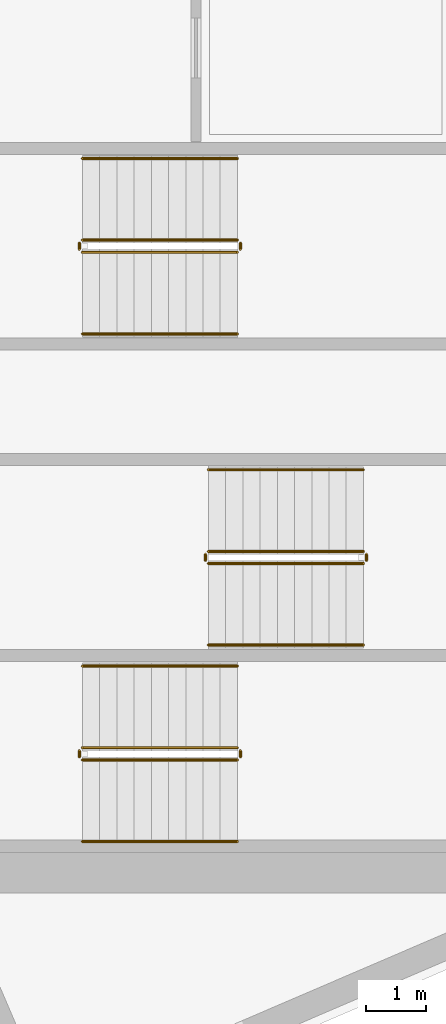
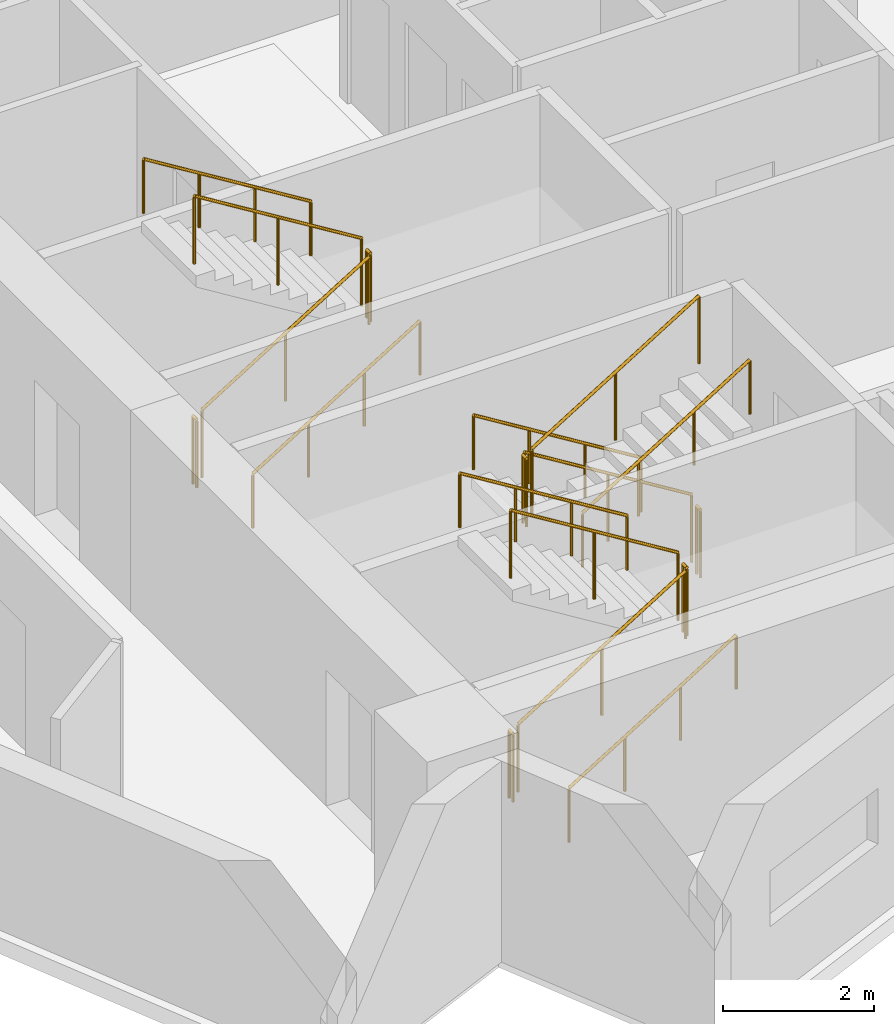
# One storey, part 13 of 14: 18 railings.
"""IFC4 building model written with IfcOpenShell, lengths in metres."""

from ifc_helpers import new_model, si_unit, direction, frame, origin, origin_2d, place, context, subcontext, project, spatial, circle, extrude, material, type_object, element, save


model = new_model("IFC4")

# Units and contexts
model_context = context("Model", 3, precision=1e-05, world=origin(), true_north=direction((0.0, 1.0)))
body_context = subcontext(model_context, "Body", "Model", "MODEL_VIEW")
ifc_project = project(units=[si_unit("LENGTHUNIT", "METRE"), si_unit("AREAUNIT", "SQUARE_METRE"), si_unit("VOLUMEUNIT", "CUBIC_METRE"), si_unit("PLANEANGLEUNIT", "RADIAN"), si_unit("MASSUNIT", "GRAM", prefix="KILO")], contexts=[model_context])

# Site, building, storey
site_placement = place(None, origin())
site = spatial("IfcSite", under=ifc_project, at=site_placement, CompositionType="ELEMENT")
building_placement = place(site_placement, origin())
building = spatial("IfcBuilding", under=site, at=building_placement, Name="Narakoshi Arena Tower", CompositionType="ELEMENT")
storey_placement = place(building_placement, frame((0.0, 0.0, 189.659912109375)))
storey = spatial("IfcBuildingStorey", under=building, at=storey_placement, Name="L51", CompositionType="ELEMENT", Elevation=189.659912109375)

# Railings
ifc_material_1 = material(Name="Clear low-iron laminated structural glass", Category="glass")
railing_type_1 = type_object("IfcRailingType", Name="RL-BAL-1100", PredefinedType="BALUSTRADE", material=ifc_material_1)
railing_1_placement = place(storey_placement, frame((74.39990234375, 36.949951171875, 0.176025390625)))
element("IfcRailing", 1, at=railing_1_placement, inside=storey, type_object=railing_type_1, Name="L51 ST1 stair guard 1", PredefinedType="BALUSTRADE", context=body_context, shape_type="SweptSolid", body=[
    extrude(circle(Radius=0.02392578125, at=origin_2d()), frame((0.0, 0.0, 1.09619140625), z_axis=(0.850856559306, 0.0, 0.525398054323), x_axis=(0.0, 1.0, 0.0)), (0.0, 0.0, 1.0), 3.014892578125),
    extrude(circle(Radius=0.02099609375, at=origin_2d()), origin(), (0.0, 0.0, 1.0), 1.072021484375),
    extrude(circle(Radius=0.02099609375, at=origin_2d()), frame((1.28271484375, 0.0, 0.7919921875)), (0.0, 0.0, 1.0), 1.072021484375),
    extrude(circle(Radius=0.02099609375, at=origin_2d()), frame((2.565185546875, 0.0, 1.583984375)), (0.0, 0.0, 1.0), 1.072021484375),
])
railing_2_placement = place(storey_placement, frame((77.014892578125, 37.0, 1.760009765625)))
element("IfcRailing", 2, at=railing_2_placement, inside=storey, type_object=railing_type_1, Name="L51 ST1 stair guard 2", PredefinedType="BALUSTRADE", context=body_context, shape_type="SweptSolid", body=[
    extrude(circle(Radius=0.02392578125, at=origin_2d()), frame((0.0, 0.0, 1.09619140625), z_axis=(0.0, 1.0, 0.0), x_axis=(-1.0, 0.0, 0.0)), (0.0, 0.0, 1.0), 0.10009765625),
    extrude(circle(Radius=0.02099609375, at=origin_2d()), origin(), (0.0, 0.0, 1.0), 1.072021484375),
    extrude(circle(Radius=0.02099609375, at=origin_2d()), frame((0.0, 0.10009765625, 0.0)), (0.0, 0.0, 1.0), 1.072021484375),
])
railing_3_placement = place(storey_placement, frame((76.965087890625, 37.14990234375, 1.93603515625)))
element("IfcRailing", 3, at=railing_3_placement, inside=storey, type_object=railing_type_1, Name="L51 ST1 stair guard 3", PredefinedType="BALUSTRADE", context=body_context, shape_type="SweptSolid", body=[
    extrude(circle(Radius=0.02392578125, at=origin_2d()), frame((0.0, 0.0, 1.09619140625), z_axis=(-0.850856559306, 0.0, 0.525398054323), x_axis=(0.0, -1.0, 0.0)), (0.0, 0.0, 1.0), 3.014892578125),
    extrude(circle(Radius=0.02099609375, at=origin_2d()), origin(), (0.0, 0.0, 1.0), 1.072021484375),
    extrude(circle(Radius=0.02099609375, at=origin_2d()), frame((-1.28271484375, 0.0, 0.7919921875)), (0.0, 0.0, 1.0), 1.072021484375),
    extrude(circle(Radius=0.02099609375, at=origin_2d()), frame((-2.565185546875, 0.0, 1.583984375)), (0.0, 0.0, 1.0), 1.072021484375),
])
railing_4_placement = place(storey_placement, frame((74.35009765625, 37.0, 0.0)))
element("IfcRailing", 4, at=railing_4_placement, inside=storey, type_object=railing_type_1, Name="L51 ST1 stair guard 4", PredefinedType="BALUSTRADE", context=body_context, shape_type="SweptSolid", body=[
    extrude(circle(Radius=0.02392578125, at=origin_2d()), frame((0.0, 0.0, 1.09619140625), z_axis=(0.0, 1.0, 0.0), x_axis=(-1.0, 0.0, 0.0)), (0.0, 0.0, 1.0), 0.10009765625),
    extrude(circle(Radius=0.02099609375, at=origin_2d()), origin(), (0.0, 0.0, 1.0), 1.072021484375),
    extrude(circle(Radius=0.02099609375, at=origin_2d()), frame((0.0, 0.10009765625, 0.0)), (0.0, 0.0, 1.0), 1.072021484375),
])
railing_5_placement = place(storey_placement, frame((79.050048828125, 40.39990234375, 0.176025390625)))
element("IfcRailing", 5, at=railing_5_placement, inside=storey, type_object=railing_type_1, Name="L51 ST2 stair guard 1", PredefinedType="BALUSTRADE", context=body_context, shape_type="SweptSolid", body=[
    extrude(circle(Radius=0.02392578125, at=origin_2d()), frame((0.0, 0.0, 1.09619140625), z_axis=(-0.850834203031, 0.0, 0.525434257497), x_axis=(0.0, -1.0, 0.0)), (0.0, 0.0, 1.0), 3.0146484375),
    extrude(circle(Radius=0.02099609375, at=origin_2d()), origin(), (0.0, 0.0, 1.0), 1.072021484375),
    extrude(circle(Radius=0.02099609375, at=origin_2d()), frame((-1.282470703125, 0.0, 0.7919921875)), (0.0, 0.0, 1.0), 1.072021484375),
    extrude(circle(Radius=0.02099609375, at=origin_2d()), frame((-2.56494140625, 0.0, 1.583984375)), (0.0, 0.0, 1.0), 1.072021484375),
])
railing_6_placement = place(storey_placement, frame((76.43505859375, 40.35009765625, 1.760009765625)))
element("IfcRailing", 6, at=railing_6_placement, inside=storey, type_object=railing_type_1, Name="L51 ST2 stair guard 2", PredefinedType="BALUSTRADE", context=body_context, shape_type="SweptSolid", body=[
    extrude(circle(Radius=0.02392578125, at=origin_2d()), frame((0.0, 0.0, 1.09619140625), z_axis=(0.0, -1.0, 0.0), x_axis=(1.0, 0.0, 0.0)), (0.0, 0.0, 1.0), 0.10009765625),
    extrude(circle(Radius=0.02099609375, at=origin_2d()), origin(), (0.0, 0.0, 1.0), 1.072021484375),
    extrude(circle(Radius=0.02099609375, at=origin_2d()), frame((0.0, -0.10009765625, 0.0)), (0.0, 0.0, 1.0), 1.072021484375),
])
railing_7_placement = place(storey_placement, frame((76.485107421875, 40.199951171875, 1.93603515625)))
element("IfcRailing", 7, at=railing_7_placement, inside=storey, type_object=railing_type_1, Name="L51 ST2 stair guard 3", PredefinedType="BALUSTRADE", context=body_context, shape_type="SweptSolid", body=[
    extrude(circle(Radius=0.02392578125, at=origin_2d()), frame((0.0, 0.0, 1.09619140625), z_axis=(0.850834203031, 0.0, 0.525434257497), x_axis=(0.0, 1.0, 0.0)), (0.0, 0.0, 1.0), 3.0146484375),
    extrude(circle(Radius=0.02099609375, at=origin_2d()), origin(), (0.0, 0.0, 1.0), 1.072021484375),
    extrude(circle(Radius=0.02099609375, at=origin_2d()), frame((1.282470703125, 0.0, 0.7919921875)), (0.0, 0.0, 1.0), 1.072021484375),
    extrude(circle(Radius=0.02099609375, at=origin_2d()), frame((2.56494140625, 0.0, 1.583984375)), (0.0, 0.0, 1.0), 1.072021484375),
])
railing_8_placement = place(storey_placement, frame((79.10009765625, 40.35009765625, 0.0)))
element("IfcRailing", 8, at=railing_8_placement, inside=storey, type_object=railing_type_1, Name="L51 ST2 stair guard 4", PredefinedType="BALUSTRADE", context=body_context, shape_type="SweptSolid", body=[
    extrude(circle(Radius=0.02392578125, at=origin_2d()), frame((0.0, 0.0, 1.09619140625), z_axis=(0.0, -1.0, 0.0), x_axis=(1.0, 0.0, 0.0)), (0.0, 0.0, 1.0), 0.10009765625),
    extrude(circle(Radius=0.02099609375, at=origin_2d()), origin(), (0.0, 0.0, 1.0), 1.072021484375),
    extrude(circle(Radius=0.02099609375, at=origin_2d()), frame((0.0, -0.10009765625, 0.0)), (0.0, 0.0, 1.0), 1.072021484375),
])
railing_9_placement = place(storey_placement, frame((74.39990234375, 45.35009765625, 0.176025390625)))
element("IfcRailing", 9, at=railing_9_placement, inside=storey, type_object=railing_type_1, Name="L51 ST3 stair guard 1", PredefinedType="BALUSTRADE", context=body_context, shape_type="SweptSolid", body=[
    extrude(circle(Radius=0.02392578125, at=origin_2d()), frame((0.0, 0.0, 1.09619140625), z_axis=(0.850856559306, 0.0, 0.525398054323), x_axis=(0.0, 1.0, 0.0)), (0.0, 0.0, 1.0), 3.014892578125),
    extrude(circle(Radius=0.02099609375, at=origin_2d()), origin(), (0.0, 0.0, 1.0), 1.072021484375),
    extrude(circle(Radius=0.02099609375, at=origin_2d()), frame((1.28271484375, 0.0, 0.7919921875)), (0.0, 0.0, 1.0), 1.072021484375),
    extrude(circle(Radius=0.02099609375, at=origin_2d()), frame((2.565185546875, 0.0, 1.583984375)), (0.0, 0.0, 1.0), 1.072021484375),
])
railing_10_placement = place(storey_placement, frame((77.014892578125, 45.39990234375, 1.760009765625)))
element("IfcRailing", 10, at=railing_10_placement, inside=storey, type_object=railing_type_1, Name="L51 ST3 stair guard 2", PredefinedType="BALUSTRADE", context=body_context, shape_type="SweptSolid", body=[
    extrude(circle(Radius=0.02392578125, at=origin_2d()), frame((0.0, 0.0, 1.09619140625), z_axis=(0.0, 1.0, 0.0), x_axis=(-1.0, 0.0, 0.0)), (0.0, 0.0, 1.0), 0.10009765625),
    extrude(circle(Radius=0.02099609375, at=origin_2d()), origin(), (0.0, 0.0, 1.0), 1.072021484375),
    extrude(circle(Radius=0.02099609375, at=origin_2d()), frame((0.0, 0.10009765625, 0.0)), (0.0, 0.0, 1.0), 1.072021484375),
])
railing_11_placement = place(storey_placement, frame((76.965087890625, 45.550048828125, 1.93603515625)))
element("IfcRailing", 11, at=railing_11_placement, inside=storey, type_object=railing_type_1, Name="L51 ST3 stair guard 3", PredefinedType="BALUSTRADE", context=body_context, shape_type="SweptSolid", body=[
    extrude(circle(Radius=0.02392578125, at=origin_2d()), frame((0.0, 0.0, 1.09619140625), z_axis=(-0.850856559306, 0.0, 0.525398054323), x_axis=(0.0, -1.0, 0.0)), (0.0, 0.0, 1.0), 3.014892578125),
    extrude(circle(Radius=0.02099609375, at=origin_2d()), origin(), (0.0, 0.0, 1.0), 1.072021484375),
    extrude(circle(Radius=0.02099609375, at=origin_2d()), frame((-1.28271484375, 0.0, 0.7919921875)), (0.0, 0.0, 1.0), 1.072021484375),
    extrude(circle(Radius=0.02099609375, at=origin_2d()), frame((-2.565185546875, 0.0, 1.583984375)), (0.0, 0.0, 1.0), 1.072021484375),
])
railing_12_placement = place(storey_placement, frame((74.35009765625, 45.39990234375, 0.0)))
element("IfcRailing", 12, at=railing_12_placement, inside=storey, type_object=railing_type_1, Name="L51 ST3 stair guard 4", PredefinedType="BALUSTRADE", context=body_context, shape_type="SweptSolid", body=[
    extrude(circle(Radius=0.02392578125, at=origin_2d()), frame((0.0, 0.0, 1.09619140625), z_axis=(0.0, 1.0, 0.0), x_axis=(-1.0, 0.0, 0.0)), (0.0, 0.0, 1.0), 0.10009765625),
    extrude(circle(Radius=0.02099609375, at=origin_2d()), origin(), (0.0, 0.0, 1.0), 1.072021484375),
    extrude(circle(Radius=0.02099609375, at=origin_2d()), frame((0.0, 0.10009765625, 0.0)), (0.0, 0.0, 1.0), 1.072021484375),
])
ifc_material_2 = material(Name="Brushed bronze stainless steel", Category="steel")
railing_type_2 = type_object("IfcRailingType", Name="RL-HND-900", PredefinedType="HANDRAIL", material=ifc_material_2)
railing_13_placement = place(storey_placement, frame((74.39990234375, 35.60009765625, 0.176025390625)))
element("IfcRailing", 13, at=railing_13_placement, inside=storey, type_object=railing_type_2, Name="L51 ST1 stair handrail 1", PredefinedType="HANDRAIL", context=body_context, shape_type="SweptSolid", body=[
    extrude(circle(Radius=0.02392578125, at=origin_2d()), frame((0.0, 0.0, 0.8759765625), z_axis=(0.850856559306, 0.0, 0.525398054323), x_axis=(0.0, 1.0, 0.0)), (0.0, 0.0, 1.0), 3.014892578125),
    extrude(circle(Radius=0.02099609375, at=origin_2d()), origin(), (0.0, 0.0, 1.0), 0.851806640625),
    extrude(circle(Radius=0.02099609375, at=origin_2d()), frame((0.85498046875, 0.0, 0.528076171875)), (0.0, 0.0, 1.0), 0.851806640625),
    extrude(circle(Radius=0.02099609375, at=origin_2d()), frame((1.710205078125, 0.0, 1.055908203125)), (0.0, 0.0, 1.0), 0.851806640625),
    extrude(circle(Radius=0.02099609375, at=origin_2d()), frame((2.565185546875, 0.0, 1.583984375)), (0.0, 0.0, 1.0), 0.851806640625),
])
railing_14_placement = place(storey_placement, frame((76.965087890625, 38.5, 1.93603515625)))
element("IfcRailing", 14, at=railing_14_placement, inside=storey, type_object=railing_type_2, Name="L51 ST1 stair handrail 2", PredefinedType="HANDRAIL", context=body_context, shape_type="SweptSolid", body=[
    extrude(circle(Radius=0.02392578125, at=origin_2d()), frame((0.0, 0.0, 0.8759765625), z_axis=(-0.850856559306, 0.0, 0.525398054323), x_axis=(0.0, -1.0, 0.0)), (0.0, 0.0, 1.0), 3.014892578125),
    extrude(circle(Radius=0.02099609375, at=origin_2d()), origin(), (0.0, 0.0, 1.0), 0.851806640625),
    extrude(circle(Radius=0.02099609375, at=origin_2d()), frame((-0.85498046875, 0.0, 0.528076171875)), (0.0, 0.0, 1.0), 0.851806640625),
    extrude(circle(Radius=0.02099609375, at=origin_2d()), frame((-1.710205078125, 0.0, 1.055908203125)), (0.0, 0.0, 1.0), 0.851806640625),
    extrude(circle(Radius=0.02099609375, at=origin_2d()), frame((-2.565185546875, 0.0, 1.583984375)), (0.0, 0.0, 1.0), 0.851806640625),
])
railing_15_placement = place(storey_placement, frame((79.050048828125, 41.75, 0.176025390625)))
element("IfcRailing", 15, at=railing_15_placement, inside=storey, type_object=railing_type_2, Name="L51 ST2 stair handrail 1", PredefinedType="HANDRAIL", context=body_context, shape_type="SweptSolid", body=[
    extrude(circle(Radius=0.02392578125, at=origin_2d()), frame((0.0, 0.0, 0.8759765625), z_axis=(-0.850834203031, 0.0, 0.525434257497), x_axis=(0.0, -1.0, 0.0)), (0.0, 0.0, 1.0), 3.0146484375),
    extrude(circle(Radius=0.02099609375, at=origin_2d()), origin(), (0.0, 0.0, 1.0), 0.851806640625),
    extrude(circle(Radius=0.02099609375, at=origin_2d()), frame((-0.85498046875, 0.0, 0.528076171875)), (0.0, 0.0, 1.0), 0.851806640625),
    extrude(circle(Radius=0.02099609375, at=origin_2d()), frame((-1.7099609375, 0.0, 1.055908203125)), (0.0, 0.0, 1.0), 0.851806640625),
    extrude(circle(Radius=0.02099609375, at=origin_2d()), frame((-2.56494140625, 0.0, 1.583984375)), (0.0, 0.0, 1.0), 0.851806640625),
])
railing_16_placement = place(storey_placement, frame((76.485107421875, 38.85009765625, 1.93603515625)))
element("IfcRailing", 16, at=railing_16_placement, inside=storey, type_object=railing_type_2, Name="L51 ST2 stair handrail 2", PredefinedType="HANDRAIL", context=body_context, shape_type="SweptSolid", body=[
    extrude(circle(Radius=0.02392578125, at=origin_2d()), frame((0.0, 0.0, 0.8759765625), z_axis=(0.850834203031, 0.0, 0.525434257497), x_axis=(0.0, 1.0, 0.0)), (0.0, 0.0, 1.0), 3.0146484375),
    extrude(circle(Radius=0.02099609375, at=origin_2d()), origin(), (0.0, 0.0, 1.0), 0.851806640625),
    extrude(circle(Radius=0.02099609375, at=origin_2d()), frame((0.85498046875, 0.0, 0.528076171875)), (0.0, 0.0, 1.0), 0.851806640625),
    extrude(circle(Radius=0.02099609375, at=origin_2d()), frame((1.7099609375, 0.0, 1.055908203125)), (0.0, 0.0, 1.0), 0.851806640625),
    extrude(circle(Radius=0.02099609375, at=origin_2d()), frame((2.56494140625, 0.0, 1.583984375)), (0.0, 0.0, 1.0), 0.851806640625),
])
railing_17_placement = place(storey_placement, frame((74.39990234375, 44.0, 0.176025390625)))
element("IfcRailing", 17, at=railing_17_placement, inside=storey, type_object=railing_type_2, Name="L51 ST3 stair handrail 1", PredefinedType="HANDRAIL", context=body_context, shape_type="SweptSolid", body=[
    extrude(circle(Radius=0.02392578125, at=origin_2d()), frame((0.0, 0.0, 0.8759765625), z_axis=(0.850856559306, 0.0, 0.525398054323), x_axis=(0.0, 1.0, 0.0)), (0.0, 0.0, 1.0), 3.014892578125),
    extrude(circle(Radius=0.02099609375, at=origin_2d()), origin(), (0.0, 0.0, 1.0), 0.851806640625),
    extrude(circle(Radius=0.02099609375, at=origin_2d()), frame((0.85498046875, 0.0, 0.528076171875)), (0.0, 0.0, 1.0), 0.851806640625),
    extrude(circle(Radius=0.02099609375, at=origin_2d()), frame((1.710205078125, 0.0, 1.055908203125)), (0.0, 0.0, 1.0), 0.851806640625),
    extrude(circle(Radius=0.02099609375, at=origin_2d()), frame((2.565185546875, 0.0, 1.583984375)), (0.0, 0.0, 1.0), 0.851806640625),
])
railing_18_placement = place(storey_placement, frame((76.965087890625, 46.89990234375, 1.93603515625)))
element("IfcRailing", 18, at=railing_18_placement, inside=storey, type_object=railing_type_2, Name="L51 ST3 stair handrail 2", PredefinedType="HANDRAIL", context=body_context, shape_type="SweptSolid", body=[
    extrude(circle(Radius=0.02392578125, at=origin_2d()), frame((0.0, 0.0, 0.8759765625), z_axis=(-0.850856559306, 0.0, 0.525398054323), x_axis=(0.0, -1.0, 0.0)), (0.0, 0.0, 1.0), 3.014892578125),
    extrude(circle(Radius=0.02099609375, at=origin_2d()), origin(), (0.0, 0.0, 1.0), 0.851806640625),
    extrude(circle(Radius=0.02099609375, at=origin_2d()), frame((-0.85498046875, 0.0, 0.528076171875)), (0.0, 0.0, 1.0), 0.851806640625),
    extrude(circle(Radius=0.02099609375, at=origin_2d()), frame((-1.710205078125, 0.0, 1.055908203125)), (0.0, 0.0, 1.0), 0.851806640625),
    extrude(circle(Radius=0.02099609375, at=origin_2d()), frame((-2.565185546875, 0.0, 1.583984375)), (0.0, 0.0, 1.0), 0.851806640625),
])

save(model, "model.ifc")
